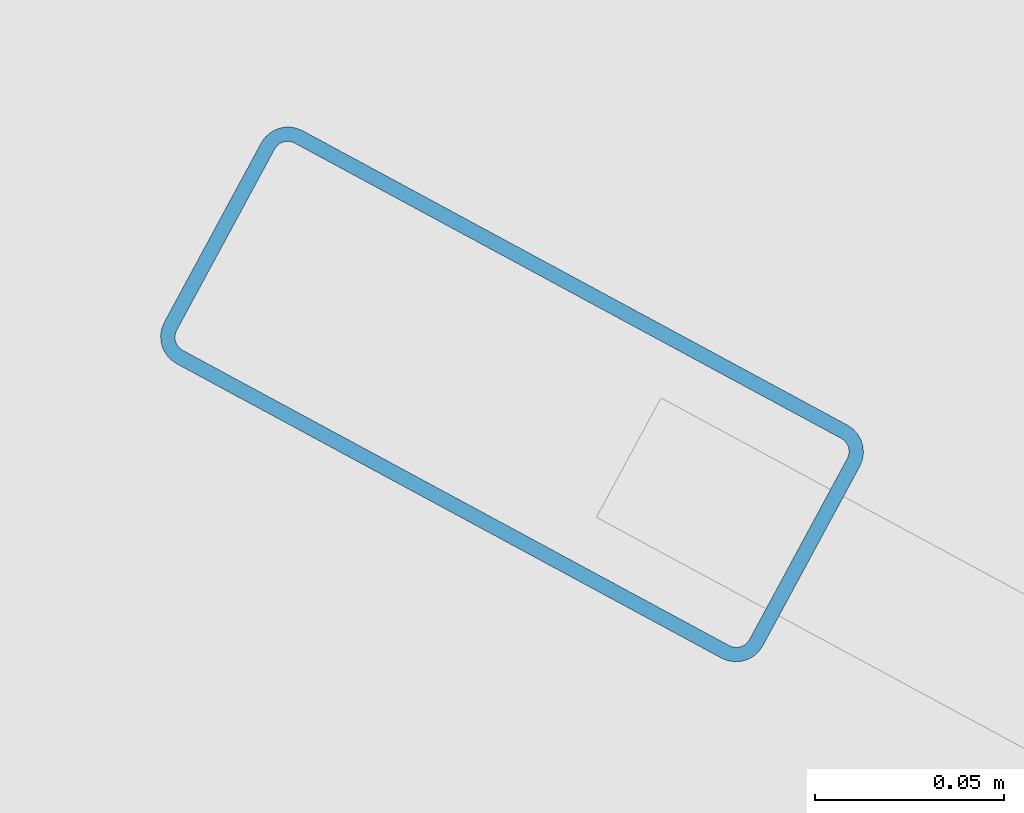
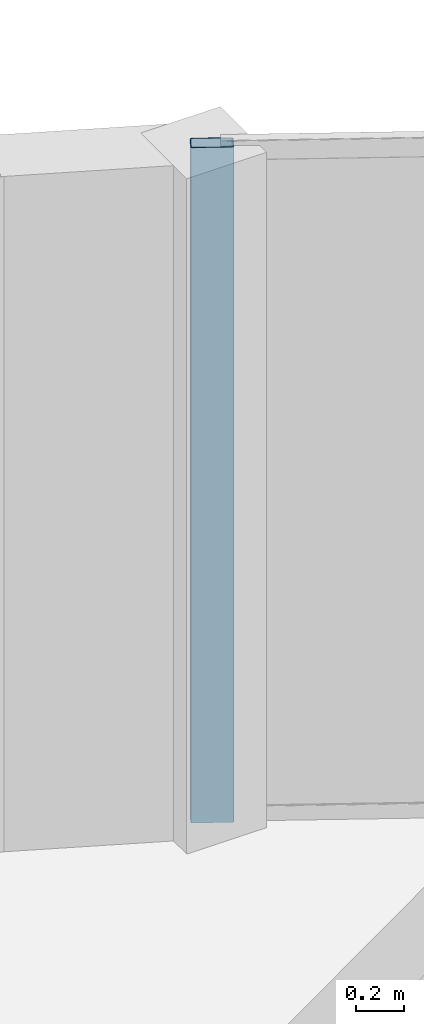
# One storey, part 8 of 14: 1 member, 1 element without a shape of its own.
"""IFC4 building model written with IfcOpenShell, lengths in metres."""

from ifc_helpers import new_model, si_unit, direction, frame, origin, origin_2d, place, context, subcontext, project, spatial, hollow_rectangle, extrude, material, layer, layer_set, material_profile, profile_set, type_object, element, aggregate, save


model = new_model("IFC4")

# Units and contexts
model_context = context("Model", 3, precision=1e-05, world=origin(), true_north=direction((0.0, 1.0)))
body_context = subcontext(model_context, "Body", "Model", "MODEL_VIEW")
ifc_project = project(units=[si_unit("LENGTHUNIT", "METRE"), si_unit("AREAUNIT", "SQUARE_METRE"), si_unit("VOLUMEUNIT", "CUBIC_METRE"), si_unit("PLANEANGLEUNIT", "RADIAN"), si_unit("MASSUNIT", "GRAM", prefix="KILO")], contexts=[model_context])

# Site, building, storey
site_placement = place(None, origin())
site = spatial("IfcSite", under=ifc_project, at=site_placement, CompositionType="ELEMENT")
building_placement = place(site_placement, origin())
building = spatial("IfcBuilding", under=site, at=building_placement, Name="An Khanh Terracotta Commons", CompositionType="ELEMENT")
storey_placement = place(building_placement, frame((0.0, 0.0, 219.300048828125)))
storey = spatial("IfcBuildingStorey", under=building, at=storey_placement, Name="L57", CompositionType="ELEMENT", Elevation=219.300048828125)

# Curtain wall, member
ifc_material = material(Name="Anodised Aluminium 6063-T6", Category="aluminium")
ifc_layer = layer(ifc_material, 0.2099609375, Name="Anodised Aluminium 6063-T6")
ifc_layer_set = layer_set([ifc_layer], Name="Anodised Aluminium 6063-T6")
curtain_wall_type = type_object("IfcCurtainWallType", Name="CW-SYS-03", PredefinedType="USERDEFINED", material=ifc_layer_set)
curtain_wall_placement = place(storey_placement, origin())
curtain_wall = element("IfcCurtainWall", 1, at=curtain_wall_placement, inside=storey, type_object=curtain_wall_type, Name="L57 CW-03 Unitised Curtain Wall CW-L57-16", ObjectType="UNITISED CURTAIN WALL", PredefinedType="USERDEFINED")
ifc_material_profile = material_profile(ifc_material, hollow_rectangle(XDim=0.070068359375, YDim=0.179931640625, WallThickness=0.00390625, InnerFilletRadius=0.00390625, OuterFilletRadius=0.008056640625, at=origin_2d()), Name="RHS180x70x4")
ifc_profile_set = profile_set([ifc_material_profile], Name="Anodised Aluminium 6063-T6")
member_type = type_object("IfcMemberType", Name="CWM-RHS180x70x4", PredefinedType="MULLION", material=ifc_profile_set)
member_placement = place(storey_placement, frame((57.3876953125, 39.058349609375, 0.0), z_axis=(0.0, 0.0, 1.0), x_axis=(-0.47538088298, -0.879780095306, 0.0)))
member = element("IfcMember", 2, at=member_placement, type_object=member_type, Name="CW-03 mullion 5", PredefinedType="MULLION", context=body_context, shape_type="SweptSolid", body=[
    extrude(hollow_rectangle(XDim=0.070068359375, YDim=0.179931640625, WallThickness=0.00390625, InnerFilletRadius=0.00390625, OuterFilletRadius=0.008056640625, at=origin_2d()), origin(), (0.0, 0.0, 1.0), 3.39990234375),
])
aggregate(curtain_wall, [member])

save(model, "model.ifc")
